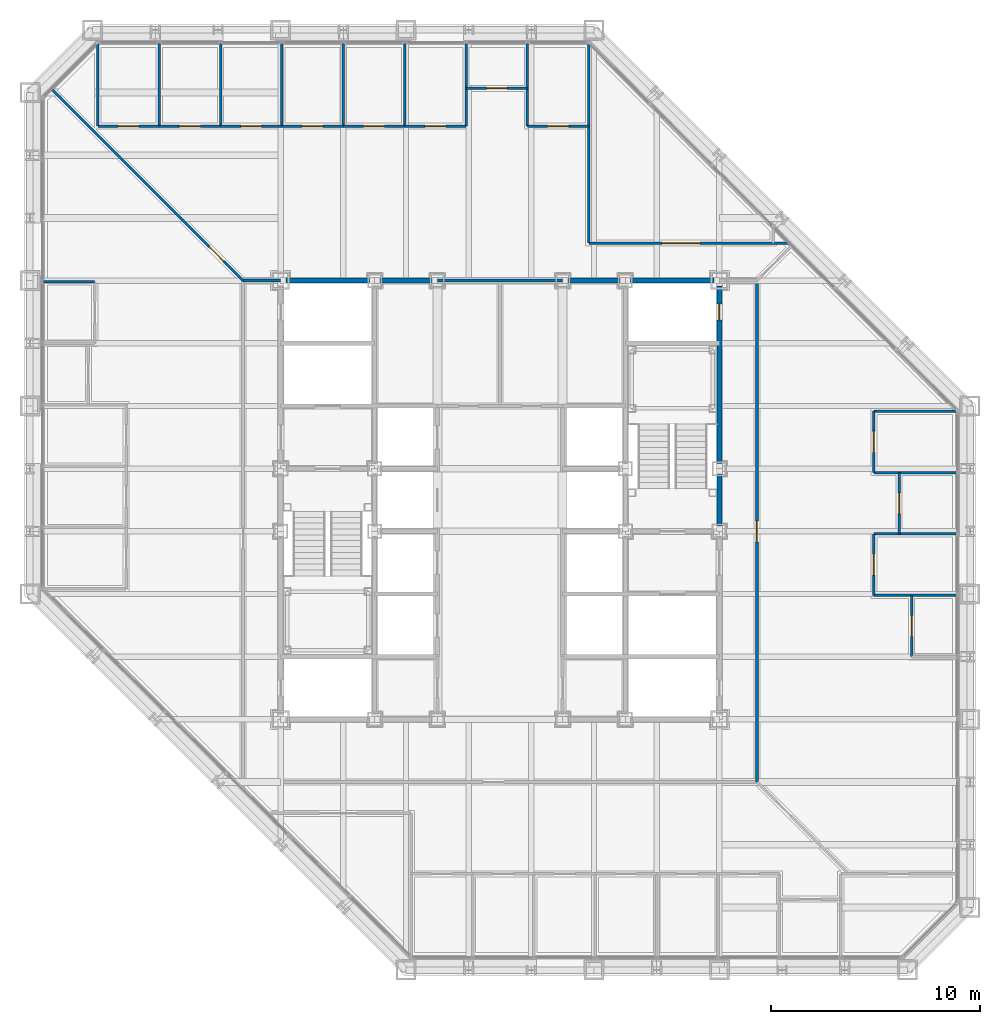
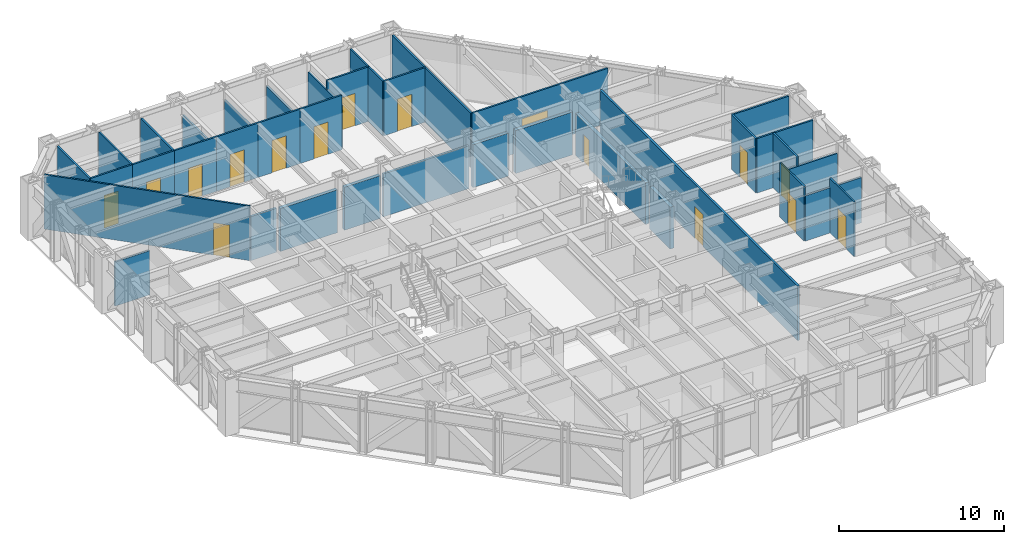
# One storey, part 12 of 17: 37 walls, 16 doors, 16 openings.
"""IFC4 building model written with IfcOpenShell, lengths in metres."""

from ifc_helpers import new_model, si_unit, direction, frame, frame_2d, origin, place, context, subcontext, project, spatial, rectangle, extrude, material, layer, layer_set, type_object, element, fill, save


model = new_model("IFC4")

# Units and contexts
model_context = context("Model", 3, precision=1e-05, world=origin(), true_north=direction((0.0, 1.0)))
body_context = subcontext(model_context, "Body", "Model", "MODEL_VIEW")
ifc_project = project(units=[si_unit("LENGTHUNIT", "METRE"), si_unit("AREAUNIT", "SQUARE_METRE"), si_unit("VOLUMEUNIT", "CUBIC_METRE"), si_unit("PLANEANGLEUNIT", "RADIAN"), si_unit("MASSUNIT", "GRAM", prefix="KILO")], contexts=[model_context])

# Site, building, storey
site_placement = place(None, origin())
site = spatial("IfcSite", under=ifc_project, at=site_placement, CompositionType="ELEMENT")
building_placement = place(site_placement, origin())
building = spatial("IfcBuilding", under=site, at=building_placement, Name="Chuquiago Exchange Tower", CompositionType="ELEMENT")
storey_placement = place(building_placement, frame((0.0, 0.0, 136.199951171875)))
storey = spatial("IfcBuildingStorey", under=building, at=storey_placement, Name="L29", CompositionType="ELEMENT", Elevation=136.199951171875)

# Walls
ifc_material_1 = material(Name="Concrete masonry, fully grouted", Category="masonry")
ifc_layer_1 = layer(ifc_material_1, 0.25)
ifc_layer_set_1 = layer_set([ifc_layer_1], Name="W1 core wall 250")
wall_type_1 = type_object("IfcWallType", Name="W1 core wall 250", PredefinedType="SOLIDWALL", material=ifc_layer_set_1)
wall_1_placement = place(storey_placement, frame((12.25, 33.0, 0.0), z_axis=(0.0, 0.0, 1.0), x_axis=(1.0, 0.0, 0.0)))
element("IfcWall", 1, at=wall_1_placement, inside=storey, type_object=wall_type_1, Name="CW-L29-11-0", PredefinedType="SOLIDWALL", context=body_context, shape_type="SweptSolid", body=[
    extrude(rectangle(XDim=4.0, YDim=0.25, at=frame_2d((2.0, 0.0))), origin(), (0.0, 0.0, 1.0), 3.181640625),
])
for number, where, z_axis, x_axis, name in (
    (2, (16.75, 33.0, 0.0), (0.0, 0.0, 1.0), (1.0, 0.0, 0.0), "CW-L29-11-1"),
    (3, (25.75, 33.0, 0.0), (0.0, 0.0, 1.0), (1.0, 0.0, 0.0), "CW-L29-12-0"),
):
    element("IfcWall", number, at=place(storey_placement, frame(where, z_axis=z_axis, x_axis=x_axis)), inside=storey, type_object=wall_type_1, Name=name, PredefinedType="SOLIDWALL", context=body_context, shape_type="SweptSolid", body=[
        extrude(rectangle(XDim=2.5, YDim=0.25, at=frame_2d((1.25, 0.0))), origin(), (0.0, 0.0, 1.0), 3.181640625),
    ])
wall_2_placement = place(storey_placement, frame((28.75, 33.0, 0.0), z_axis=(0.0, 0.0, 1.0), x_axis=(1.0, 0.0, 0.0)))
element("IfcWall", 4, at=wall_2_placement, inside=storey, type_object=wall_type_1, Name="CW-L29-12-1", PredefinedType="SOLIDWALL", context=body_context, shape_type="SweptSolid", body=[
    extrude(rectangle(XDim=4.0, YDim=0.25, at=frame_2d((2.0, 0.0))), origin(), (0.0, 0.0, 1.0), 3.181640625),
])
wall_3_placement = place(storey_placement, frame((33.0, 21.25, 0.0), z_axis=(0.0, 0.0, 1.0), x_axis=(0.0, 1.0, 0.0)))
element("IfcWall", 5, at=wall_3_placement, inside=storey, type_object=wall_type_1, Name="CW-L29-25-1", PredefinedType="SOLIDWALL", context=body_context, shape_type="SweptSolid", body=[
    extrude(rectangle(XDim=2.5, YDim=0.25, at=frame_2d((1.25, 0.0))), origin(), (0.0, 0.0, 1.0), 3.113037109375),
])

# Wall, opening, door
wall_4_placement = place(storey_placement, frame((33.0, 24.25, 0.0), z_axis=(0.0, 0.0, 1.0), x_axis=(0.0, 1.0, 0.0)))
wall_4 = element("IfcWall", 6, at=wall_4_placement, inside=storey, type_object=wall_type_1, Name="CW-L29-25-2", PredefinedType="SOLIDWALL", context=body_context, shape_type="SweptSolid", body=[
    extrude(rectangle(XDim=8.5, YDim=0.25, at=frame_2d((4.25, 0.0))), origin(), (0.0, 0.0, 1.0), 3.113037109375),
])
opening_1_placement = place(wall_4_placement, frame((6.875, 0.0, 0.0)))
opening_1 = element("IfcOpeningElement", 7, at=opening_1_placement, cuts=wall_4, Name="Opening L29-010", PredefinedType="OPENING", context=body_context, shape_type="SweptSolid", body=[
    extrude(rectangle(XDim=0.75, YDim=2.10009765625, at=frame_2d((0.375, 1.050048828125))), frame((0.0, 0.135009765625, 0.0), z_axis=(0.0, -1.0, 0.0), x_axis=(1.0, 0.0, 0.0)), (0.0, 0.0, 1.0), 0.27001953125),
])
ifc_material_2 = material(Name="Steel door, painted", Category="steel")
door_type_1 = type_object("IfcDoorType", Name="D6 riser access door 750x2100", OperationType="SINGLE_SWING_LEFT", PredefinedType="DOOR", material=ifc_material_2)
door_1_placement = place(opening_1_placement, origin())
door_1 = element("IfcDoor", 8, at=door_1_placement, inside=storey, type_object=door_type_1, Name="Riser RE2 door", OperationType="SINGLE_SWING_RIGHT", OverallHeight=2.10009765625, OverallWidth=0.75, PredefinedType="DOOR", context=body_context, shape_type="SweptSolid", body=[
    extrude(rectangle(XDim=0.75, YDim=2.10009765625, at=frame_2d((0.375, 1.050048828125))), frame((0.0, 0.02490234375, 0.0), z_axis=(0.0, -1.0, 0.0), x_axis=(1.0, 0.0, 0.0)), (0.0, 0.0, 1.0), 0.050048828125),
])
fill(opening_1, door_1)

# Wall
ifc_material_3 = material(Name="Gypsum board on steel studs, acoustic insulation", Category="steel")
ifc_layer_2 = layer(ifc_material_3, 0.14990234375)
ifc_layer_set_2 = layer_set([ifc_layer_2], Name="W11 corridor wall 150")
wall_type_2 = type_object("IfcWallType", Name="W11 corridor wall 150", PredefinedType="PARTITIONING", material=ifc_layer_set_2)
wall_5_placement = place(storey_placement, frame((10.199951171875, 33.0, 0.0), z_axis=(0.0, 0.0, 1.0), x_axis=(1.0, 0.0, 0.0)))
element("IfcWall", 9, at=wall_5_placement, inside=storey, type_object=wall_type_2, Name="PW-L29-GWN0", PredefinedType="PARTITIONING", context=body_context, shape_type="SweptSolid", body=[
    extrude(rectangle(XDim=1.800048828125, YDim=0.14990234375, at=frame_2d((0.89990234375, 0.0))), origin(), (0.0, 0.0, 1.0), 3.2705078125),
])

# Wall, opening, door
wall_6_placement = place(storey_placement, frame((34.800048828125, 9.0, 0.0), z_axis=(0.0, 0.0, 1.0), x_axis=(0.0, 1.0, 0.0)))
wall_6 = element("IfcWall", 10, at=wall_6_placement, inside=storey, type_object=wall_type_2, Name="PW-L29-GE0", PredefinedType="PARTITIONING", context=body_context, shape_type="SweptSolid", body=[
    extrude(rectangle(XDim=24.0, YDim=0.14990234375, at=frame_2d((12.0, 0.0))), origin(), (0.0, 0.0, 1.0), 4.0400390625),
])
opening_2_placement = place(wall_6_placement, frame((11.5, 0.0, 0.0)))
opening_2 = element("IfcOpeningElement", 11, at=opening_2_placement, cuts=wall_6, Name="Opening L29-048", PredefinedType="OPENING", context=body_context, shape_type="SweptSolid", body=[
    extrude(rectangle(XDim=1.0, YDim=2.39990234375, at=frame_2d((0.5, 1.199951171875))), frame((0.0, 0.0849609375, 0.0), z_axis=(0.0, -1.0, 0.0), x_axis=(1.0, 0.0, 0.0)), (0.0, 0.0, 1.0), 0.169921875),
])
ifc_material_4 = material(Name="Timber door, laminate faced", Category="wood")
door_type_2 = type_object("IfcDoorType", Name="D9 room door 1000x2400", OperationType="SINGLE_SWING_LEFT", PredefinedType="DOOR", material=ifc_material_4)
door_2_placement = place(opening_2_placement, frame((1.0, 0.0, 0.0), z_axis=(0.0, 0.0, 1.0), x_axis=(-1.0, 0.0, 0.0)))
door_2 = element("IfcDoor", 12, at=door_2_placement, inside=storey, type_object=door_type_2, Name="Team area door", OperationType="SINGLE_SWING_RIGHT", OverallHeight=2.39990234375, OverallWidth=1.0, PredefinedType="DOOR", context=body_context, shape_type="SweptSolid", body=[
    extrude(rectangle(XDim=1.0, YDim=2.39990234375, at=frame_2d((0.5, 1.199951171875))), frame((0.0, 0.02490234375, 0.0), z_axis=(0.0, -1.0, 0.0), x_axis=(1.0, 0.0, 0.0)), (0.0, 0.0, 1.0), 0.050048828125),
])
fill(opening_2, door_2)

# Walls
ifc_material_5 = material(Name="Gypsum board on steel studs", Category="steel")
ifc_layer_3 = layer(ifc_material_5, 0.14990234375)
ifc_layer_set_3 = layer_set([ifc_layer_3], Name="W3 core partition 150")
wall_type_3 = type_object("IfcWallType", Name="W3 core partition 150", PredefinedType="PARTITIONING", material=ifc_layer_set_3)
wall_7_placement = place(storey_placement, frame((19.5, 33.0, 0.0), z_axis=(0.0, 0.0, 1.0), x_axis=(1.0, 0.0, 0.0)))
element("IfcWall", 13, at=wall_7_placement, inside=storey, type_object=wall_type_3, Name="CW-L29-TB", PredefinedType="PARTITIONING", context=body_context, shape_type="SweptSolid", body=[
    extrude(rectangle(XDim=6.0, YDim=0.14990234375, at=frame_2d((3.0, 0.0))), origin(), (0.0, 0.0, 1.0), 3.181640625),
])
ifc_material_6 = material(Name="Gypsum board on steel studs", Category="steel")
ifc_layer_4 = layer(ifc_material_6, 0.1201171875)
ifc_layer_set_4 = layer_set([ifc_layer_4], Name="W4 partition 120")
wall_type_4 = type_object("IfcWallType", Name="W4 partition 120", PredefinedType="PARTITIONING", material=ifc_layer_set_4)
for number, where, z_axis, x_axis, name in (
    (14, (44.347412109375, 17.93798828125, 0.0), (0.0, 0.0, 1.0), (-1.0, 0.0, 0.0), "PW-L29-E01794"),
    (15, (44.347412109375, 20.875732421875, 0.0), (0.0, 0.0, 1.0), (-1.0, 0.0, 0.0), "PW-L29-E02088"),
):
    element("IfcWall", number, at=place(storey_placement, frame(where, z_axis=z_axis, x_axis=x_axis)), inside=storey, type_object=wall_type_4, Name=name, PredefinedType="PARTITIONING", context=body_context, shape_type="SweptSolid", body=[
        extrude(rectangle(XDim=3.947509765625, YDim=0.1201171875, at=frame_2d((1.9736328125, 0.0))), origin(), (0.0, 0.0, 1.0), 3.35693359375),
    ])
wall_8_placement = place(storey_placement, frame((44.347412109375, 23.813720703125, 0.0), z_axis=(0.0, 0.0, 1.0), x_axis=(-1.0, 0.0, 0.0)))
element("IfcWall", 16, at=wall_8_placement, inside=storey, type_object=wall_type_4, Name="PW-L29-E02381", PredefinedType="PARTITIONING", context=body_context, shape_type="SweptSolid", body=[
    extrude(rectangle(XDim=3.947509765625, YDim=0.1201171875, at=frame_2d((1.9736328125, 0.0))), origin(), (0.0, 0.0, 1.0), 4.0400390625),
])
wall_9_placement = place(storey_placement, frame((44.333984375, 26.75146484375, 0.0), z_axis=(0.0, 0.0, 1.0), x_axis=(-1.0, 0.0, 0.0)))
element("IfcWall", 17, at=wall_9_placement, inside=storey, type_object=wall_type_4, Name="PW-L29-E02675", PredefinedType="PARTITIONING", context=body_context, shape_type="SweptSolid", body=[
    extrude(rectangle(XDim=3.93408203125, YDim=0.1201171875, at=frame_2d((1.967041015625, 0.0))), origin(), (0.0, 0.0, 1.0), 4.0400390625),
])

# Wall, opening, door
wall_10_placement = place(storey_placement, frame((42.199951171875, 15.0, 0.0), z_axis=(0.0, 0.0, 1.0), x_axis=(0.0, 1.0, 0.0)))
wall_10 = element("IfcWall", 18, at=wall_10_placement, inside=storey, type_object=wall_type_4, Name="PW-L29-EF01500", PredefinedType="PARTITIONING", context=body_context, shape_type="SweptSolid", body=[
    extrude(rectangle(XDim=2.93798828125, YDim=0.1201171875, at=frame_2d((1.468994140625, 0.0))), origin(), (0.0, 0.0, 1.0), 4.0400390625),
])
opening_3_placement = place(wall_10_placement, frame((0.968994140625, 0.0, 0.0)))
opening_3 = element("IfcOpeningElement", 19, at=opening_3_placement, cuts=wall_10, Name="Opening L29-028", PredefinedType="OPENING", context=body_context, shape_type="SweptSolid", body=[
    extrude(rectangle(XDim=1.0, YDim=2.39990234375, at=frame_2d((0.5, 1.199951171875))), frame((0.0, 0.070068359375, 0.0), z_axis=(0.0, -1.0, 0.0), x_axis=(1.0, 0.0, 0.0)), (0.0, 0.0, 1.0), 0.14013671875),
])
ifc_material_7 = material(Name="Timber frame door, full height glazed panel", Category="wood")
door_type_3 = type_object("IfcDoorType", Name="D14 glazed meeting room door 1000x2400", OperationType="SINGLE_SWING_LEFT", PredefinedType="DOOR", material=ifc_material_7)
door_3_placement = place(opening_3_placement, frame((1.0, 0.0, 0.0), z_axis=(0.0, 0.0, 1.0), x_axis=(-1.0, 0.0, 0.0)))
door_3 = element("IfcDoor", 20, at=door_3_placement, inside=storey, type_object=door_type_3, Name="Focus room door", OperationType="SINGLE_SWING_RIGHT", OverallHeight=2.39990234375, OverallWidth=1.0, PredefinedType="DOOR", context=body_context, shape_type="SweptSolid", body=[
    extrude(rectangle(XDim=1.0, YDim=2.39990234375, at=frame_2d((0.5, 1.199951171875))), frame((0.0, 0.02490234375, 0.0), z_axis=(0.0, -1.0, 0.0), x_axis=(1.0, 0.0, 0.0)), (0.0, 0.0, 1.0), 0.050048828125),
])
fill(opening_3, door_3)

wall_11_placement = place(storey_placement, frame((40.39990234375, 17.93798828125, 0.0), z_axis=(0.0, 0.0, 1.0), x_axis=(0.0, 1.0, 0.0)))
wall_11 = element("IfcWall", 21, at=wall_11_placement, inside=storey, type_object=wall_type_4, Name="PW-L29-EF01794", PredefinedType="PARTITIONING", context=body_context, shape_type="SweptSolid", body=[
    extrude(rectangle(XDim=2.937744140625, YDim=0.1201171875, at=frame_2d((1.46875, 0.0))), origin(), (0.0, 0.0, 1.0), 4.0400390625),
])
opening_4_placement = place(wall_11_placement, frame((0.968994140625, 0.0, 0.0)))
opening_4 = element("IfcOpeningElement", 22, at=opening_4_placement, cuts=wall_11, Name="Opening L29-029", PredefinedType="OPENING", context=body_context, shape_type="SweptSolid", body=[
    extrude(rectangle(XDim=1.0, YDim=2.39990234375, at=frame_2d((0.5, 1.199951171875))), frame((0.0, 0.070068359375, 0.0), z_axis=(0.0, -1.0, 0.0), x_axis=(1.0, 0.0, 0.0)), (0.0, 0.0, 1.0), 0.14013671875),
])
door_4_placement = place(opening_4_placement, frame((1.0, 0.0, 0.0), z_axis=(0.0, 0.0, 1.0), x_axis=(-1.0, 0.0, 0.0)))
door_4 = element("IfcDoor", 23, at=door_4_placement, inside=storey, type_object=door_type_2, Name="Office door", OperationType="SINGLE_SWING_LEFT", OverallHeight=2.39990234375, OverallWidth=1.0, PredefinedType="DOOR", context=body_context, shape_type="SweptSolid", body=[
    extrude(rectangle(XDim=1.0, YDim=2.39990234375, at=frame_2d((0.5, 1.199951171875))), frame((0.0, 0.02490234375, 0.0), z_axis=(0.0, -1.0, 0.0), x_axis=(1.0, 0.0, 0.0)), (0.0, 0.0, 1.0), 0.050048828125),
])
fill(opening_4, door_4)

wall_12_placement = place(storey_placement, frame((41.60009765625, 20.875732421875, 0.0), z_axis=(0.0, 0.0, 1.0), x_axis=(0.0, 1.0, 0.0)))
wall_12 = element("IfcWall", 24, at=wall_12_placement, inside=storey, type_object=wall_type_4, Name="PW-L29-EF02088", PredefinedType="PARTITIONING", context=body_context, shape_type="SweptSolid", body=[
    extrude(rectangle(XDim=2.93798828125, YDim=0.1201171875, at=frame_2d((1.468994140625, 0.0))), origin(), (0.0, 0.0, 1.0), 4.0400390625),
])
opening_5_placement = place(wall_12_placement, frame((0.968994140625, 0.0, 0.0)))
opening_5 = element("IfcOpeningElement", 25, at=opening_5_placement, cuts=wall_12, Name="Opening L29-030", PredefinedType="OPENING", context=body_context, shape_type="SweptSolid", body=[
    extrude(rectangle(XDim=1.0, YDim=2.39990234375, at=frame_2d((0.5, 1.199951171875))), frame((0.0, 0.070068359375, 0.0), z_axis=(0.0, -1.0, 0.0), x_axis=(1.0, 0.0, 0.0)), (0.0, 0.0, 1.0), 0.14013671875),
])
door_5_placement = place(opening_5_placement, frame((1.0, 0.0, 0.0), z_axis=(0.0, 0.0, 1.0), x_axis=(-1.0, 0.0, 0.0)))
door_5 = element("IfcDoor", 26, at=door_5_placement, inside=storey, type_object=door_type_2, Name="Pantry door", OperationType="SINGLE_SWING_LEFT", OverallHeight=2.39990234375, OverallWidth=1.0, PredefinedType="DOOR", context=body_context, shape_type="SweptSolid", body=[
    extrude(rectangle(XDim=1.0, YDim=2.39990234375, at=frame_2d((0.5, 1.199951171875))), frame((0.0, 0.02490234375, 0.0), z_axis=(0.0, -1.0, 0.0), x_axis=(1.0, 0.0, 0.0)), (0.0, 0.0, 1.0), 0.050048828125),
])
fill(opening_5, door_5)

wall_13_placement = place(storey_placement, frame((40.39990234375, 23.813720703125, 0.0), z_axis=(0.0, 0.0, 1.0), x_axis=(0.0, 1.0, 0.0)))
wall_13 = element("IfcWall", 27, at=wall_13_placement, inside=storey, type_object=wall_type_4, Name="PW-L29-EF02381", PredefinedType="PARTITIONING", context=body_context, shape_type="SweptSolid", body=[
    extrude(rectangle(XDim=2.937744140625, YDim=0.1201171875, at=frame_2d((1.46875, 0.0))), origin(), (0.0, 0.0, 1.0), 4.0400390625),
])
opening_6_placement = place(wall_13_placement, frame((0.968994140625, 0.0, 0.0)))
opening_6 = element("IfcOpeningElement", 28, at=opening_6_placement, cuts=wall_13, Name="Opening L29-031", PredefinedType="OPENING", context=body_context, shape_type="SweptSolid", body=[
    extrude(rectangle(XDim=1.0, YDim=2.39990234375, at=frame_2d((0.5, 1.199951171875))), frame((0.0, 0.070068359375, 0.0), z_axis=(0.0, -1.0, 0.0), x_axis=(1.0, 0.0, 0.0)), (0.0, 0.0, 1.0), 0.14013671875),
])
door_6_placement = place(opening_6_placement, frame((1.0, 0.0, 0.0), z_axis=(0.0, 0.0, 1.0), x_axis=(-1.0, 0.0, 0.0)))
door_6 = element("IfcDoor", 29, at=door_6_placement, inside=storey, type_object=door_type_2, Name="Office door", OperationType="SINGLE_SWING_RIGHT", OverallHeight=2.39990234375, OverallWidth=1.0, PredefinedType="DOOR", context=body_context, shape_type="SweptSolid", body=[
    extrude(rectangle(XDim=1.0, YDim=2.39990234375, at=frame_2d((0.5, 1.199951171875))), frame((0.0, 0.02490234375, 0.0), z_axis=(0.0, -1.0, 0.0), x_axis=(1.0, 0.0, 0.0)), (0.0, 0.0, 1.0), 0.050048828125),
])
fill(opening_6, door_6)

# Walls
wall_14_placement = place(storey_placement, frame((3.24853515625, 44.333984375, 0.0), z_axis=(0.0, 0.0, 1.0), x_axis=(0.0, -1.0, 0.0)))
element("IfcWall", 30, at=wall_14_placement, inside=storey, type_object=wall_type_4, Name="PW-L29-N00325", PredefinedType="PARTITIONING", context=body_context, shape_type="SweptSolid", body=[
    extrude(rectangle(XDim=3.93408203125, YDim=0.1201171875, at=frame_2d((1.967041015625, 0.0))), origin(), (0.0, 0.0, 1.0), 4.0400390625),
])
for number, where, z_axis, x_axis, name in (
    (31, (6.186279296875, 44.347412109375, 0.0), (0.0, 0.0, 1.0), (0.0, -1.0, 0.0), "PW-L29-N00619"),
    (32, (9.124267578125, 44.347412109375, 0.0), (0.0, 0.0, 1.0), (0.0, -1.0, 0.0), "PW-L29-N00912"),
):
    element("IfcWall", number, at=place(storey_placement, frame(where, z_axis=z_axis, x_axis=x_axis)), inside=storey, type_object=wall_type_4, Name=name, PredefinedType="PARTITIONING", context=body_context, shape_type="SweptSolid", body=[
        extrude(rectangle(XDim=3.947509765625, YDim=0.1201171875, at=frame_2d((1.9736328125, 0.0))), origin(), (0.0, 0.0, 1.0), 4.0400390625),
    ])
wall_15_placement = place(storey_placement, frame((12.06201171875, 44.347412109375, 0.0), z_axis=(0.0, 0.0, 1.0), x_axis=(0.0, -1.0, 0.0)))
element("IfcWall", 33, at=wall_15_placement, inside=storey, type_object=wall_type_4, Name="PW-L29-N01206", PredefinedType="PARTITIONING", context=body_context, shape_type="SweptSolid", body=[
    extrude(rectangle(XDim=3.947509765625, YDim=0.1201171875, at=frame_2d((1.9736328125, 0.0))), origin(), (0.0, 0.0, 1.0), 3.2705078125),
])
for number, where, z_axis, x_axis, name in (
    (34, (15.0, 44.347412109375, 0.0), (0.0, 0.0, 1.0), (0.0, -1.0, 0.0), "PW-L29-N01500"),
    (35, (17.93798828125, 44.347412109375, 0.0), (0.0, 0.0, 1.0), (0.0, -1.0, 0.0), "PW-L29-N01794"),
    (36, (20.875732421875, 44.347412109375, 0.0), (0.0, 0.0, 1.0), (0.0, -1.0, 0.0), "PW-L29-N02088"),
):
    element("IfcWall", number, at=place(storey_placement, frame(where, z_axis=z_axis, x_axis=x_axis)), inside=storey, type_object=wall_type_4, Name=name, PredefinedType="PARTITIONING", context=body_context, shape_type="SweptSolid", body=[
        extrude(rectangle(XDim=3.947509765625, YDim=0.1201171875, at=frame_2d((1.9736328125, 0.0))), origin(), (0.0, 0.0, 1.0), 3.35693359375),
    ])
wall_16_placement = place(storey_placement, frame((23.813720703125, 44.347412109375, 0.0), z_axis=(0.0, 0.0, 1.0), x_axis=(0.0, -1.0, 0.0)))
element("IfcWall", 37, at=wall_16_placement, inside=storey, type_object=wall_type_4, Name="PW-L29-N02381", PredefinedType="PARTITIONING", context=body_context, shape_type="SweptSolid", body=[
    extrude(rectangle(XDim=3.947509765625, YDim=0.1201171875, at=frame_2d((1.9736328125, 0.0))), origin(), (0.0, 0.0, 1.0), 4.0400390625),
])
wall_17_placement = place(storey_placement, frame((26.75146484375, 44.333984375, 0.0), z_axis=(0.0, 0.0, 1.0), x_axis=(0.0, -1.0, 0.0)))
element("IfcWall", 38, at=wall_17_placement, inside=storey, type_object=wall_type_4, Name="PW-L29-N02675", PredefinedType="PARTITIONING", context=body_context, shape_type="SweptSolid", body=[
    extrude(rectangle(XDim=9.533935546875, YDim=0.1201171875, at=frame_2d((4.76708984375, 0.0))), origin(), (0.0, 0.0, 1.0), 4.0400390625),
])

# Wall, opening, door
wall_18_placement = place(storey_placement, frame((3.24853515625, 40.39990234375, 0.0), z_axis=(0.0, 0.0, 1.0), x_axis=(1.0, 0.0, 0.0)))
wall_18 = element("IfcWall", 39, at=wall_18_placement, inside=storey, type_object=wall_type_4, Name="PW-L29-NF00325", PredefinedType="PARTITIONING", context=body_context, shape_type="SweptSolid", body=[
    extrude(rectangle(XDim=2.937744140625, YDim=0.1201171875, at=frame_2d((1.46875, 0.0))), origin(), (0.0, 0.0, 1.0), 4.0400390625),
])
opening_7_placement = place(wall_18_placement, frame((0.968994140625, 0.0, 0.0)))
opening_7 = element("IfcOpeningElement", 40, at=opening_7_placement, cuts=wall_18, Name="Opening L29-032", PredefinedType="OPENING", context=body_context, shape_type="SweptSolid", body=[
    extrude(rectangle(XDim=1.0, YDim=2.39990234375, at=frame_2d((0.5, 1.199951171875))), frame((0.0, 0.070068359375, 0.0), z_axis=(0.0, -1.0, 0.0), x_axis=(1.0, 0.0, 0.0)), (0.0, 0.0, 1.0), 0.14013671875),
])
door_7_placement = place(opening_7_placement, origin())
door_7 = element("IfcDoor", 41, at=door_7_placement, inside=storey, type_object=door_type_2, Name="Compliance office door", OperationType="SINGLE_SWING_LEFT", OverallHeight=2.39990234375, OverallWidth=1.0, PredefinedType="DOOR", context=body_context, shape_type="SweptSolid", body=[
    extrude(rectangle(XDim=1.0, YDim=2.39990234375, at=frame_2d((0.5, 1.199951171875))), frame((0.0, 0.02490234375, 0.0), z_axis=(0.0, -1.0, 0.0), x_axis=(1.0, 0.0, 0.0)), (0.0, 0.0, 1.0), 0.050048828125),
])
fill(opening_7, door_7)

wall_19_placement = place(storey_placement, frame((6.186279296875, 40.39990234375, 0.0), z_axis=(0.0, 0.0, 1.0), x_axis=(1.0, 0.0, 0.0)))
wall_19 = element("IfcWall", 42, at=wall_19_placement, inside=storey, type_object=wall_type_4, Name="PW-L29-NF00619", PredefinedType="PARTITIONING", context=body_context, shape_type="SweptSolid", body=[
    extrude(rectangle(XDim=2.93798828125, YDim=0.1201171875, at=frame_2d((1.468994140625, 0.0))), origin(), (0.0, 0.0, 1.0), 4.0400390625),
])
opening_8_placement = place(wall_19_placement, frame((0.968994140625, 0.0, 0.0)))
opening_8 = element("IfcOpeningElement", 43, at=opening_8_placement, cuts=wall_19, Name="Opening L29-033", PredefinedType="OPENING", context=body_context, shape_type="SweptSolid", body=[
    extrude(rectangle(XDim=1.0, YDim=2.39990234375, at=frame_2d((0.5, 1.199951171875))), frame((0.0, 0.070068359375, 0.0), z_axis=(0.0, -1.0, 0.0), x_axis=(1.0, 0.0, 0.0)), (0.0, 0.0, 1.0), 0.14013671875),
])
door_8_placement = place(opening_8_placement, origin())
door_8 = element("IfcDoor", 44, at=door_8_placement, inside=storey, type_object=door_type_2, Name="Compliance office door", OperationType="SINGLE_SWING_LEFT", OverallHeight=2.39990234375, OverallWidth=1.0, PredefinedType="DOOR", context=body_context, shape_type="SweptSolid", body=[
    extrude(rectangle(XDim=1.0, YDim=2.39990234375, at=frame_2d((0.5, 1.199951171875))), frame((0.0, 0.02490234375, 0.0), z_axis=(0.0, -1.0, 0.0), x_axis=(1.0, 0.0, 0.0)), (0.0, 0.0, 1.0), 0.050048828125),
])
fill(opening_8, door_8)

wall_20_placement = place(storey_placement, frame((9.124267578125, 40.39990234375, 0.0), z_axis=(0.0, 0.0, 1.0), x_axis=(1.0, 0.0, 0.0)))
wall_20 = element("IfcWall", 45, at=wall_20_placement, inside=storey, type_object=wall_type_4, Name="PW-L29-NF00912", PredefinedType="PARTITIONING", context=body_context, shape_type="SweptSolid", body=[
    extrude(rectangle(XDim=2.937744140625, YDim=0.1201171875, at=frame_2d((1.46875, 0.0))), origin(), (0.0, 0.0, 1.0), 4.0400390625),
])
opening_9_placement = place(wall_20_placement, frame((0.968994140625, 0.0, 0.0)))
opening_9 = element("IfcOpeningElement", 46, at=opening_9_placement, cuts=wall_20, Name="Opening L29-034", PredefinedType="OPENING", context=body_context, shape_type="SweptSolid", body=[
    extrude(rectangle(XDim=1.0, YDim=2.39990234375, at=frame_2d((0.5, 1.199951171875))), frame((0.0, 0.070068359375, 0.0), z_axis=(0.0, -1.0, 0.0), x_axis=(1.0, 0.0, 0.0)), (0.0, 0.0, 1.0), 0.14013671875),
])
door_9_placement = place(opening_9_placement, origin())
door_9 = element("IfcDoor", 47, at=door_9_placement, inside=storey, type_object=door_type_2, Name="Compliance office door", OperationType="SINGLE_SWING_RIGHT", OverallHeight=2.39990234375, OverallWidth=1.0, PredefinedType="DOOR", context=body_context, shape_type="SweptSolid", body=[
    extrude(rectangle(XDim=1.0, YDim=2.39990234375, at=frame_2d((0.5, 1.199951171875))), frame((0.0, 0.02490234375, 0.0), z_axis=(0.0, -1.0, 0.0), x_axis=(1.0, 0.0, 0.0)), (0.0, 0.0, 1.0), 0.050048828125),
])
fill(opening_9, door_9)

wall_21_placement = place(storey_placement, frame((12.06201171875, 40.39990234375, 0.0), z_axis=(0.0, 0.0, 1.0), x_axis=(1.0, 0.0, 0.0)))
wall_21 = element("IfcWall", 48, at=wall_21_placement, inside=storey, type_object=wall_type_4, Name="PW-L29-NF01206", PredefinedType="PARTITIONING", context=body_context, shape_type="SweptSolid", body=[
    extrude(rectangle(XDim=2.93798828125, YDim=0.1201171875, at=frame_2d((1.468994140625, 0.0))), origin(), (0.0, 0.0, 1.0), 4.0400390625),
])
opening_10_placement = place(wall_21_placement, frame((0.968994140625, 0.0, 0.0)))
opening_10 = element("IfcOpeningElement", 49, at=opening_10_placement, cuts=wall_21, Name="Opening L29-035", PredefinedType="OPENING", context=body_context, shape_type="SweptSolid", body=[
    extrude(rectangle(XDim=1.0, YDim=2.39990234375, at=frame_2d((0.5, 1.199951171875))), frame((0.0, 0.070068359375, 0.0), z_axis=(0.0, -1.0, 0.0), x_axis=(1.0, 0.0, 0.0)), (0.0, 0.0, 1.0), 0.14013671875),
])
door_10_placement = place(opening_10_placement, origin())
door_10 = element("IfcDoor", 50, at=door_10_placement, inside=storey, type_object=door_type_2, Name="Office door", OperationType="SINGLE_SWING_RIGHT", OverallHeight=2.39990234375, OverallWidth=1.0, PredefinedType="DOOR", context=body_context, shape_type="SweptSolid", body=[
    extrude(rectangle(XDim=1.0, YDim=2.39990234375, at=frame_2d((0.5, 1.199951171875))), frame((0.0, 0.02490234375, 0.0), z_axis=(0.0, -1.0, 0.0), x_axis=(1.0, 0.0, 0.0)), (0.0, 0.0, 1.0), 0.050048828125),
])
fill(opening_10, door_10)

wall_22_placement = place(storey_placement, frame((15.0, 40.39990234375, 0.0), z_axis=(0.0, 0.0, 1.0), x_axis=(1.0, 0.0, 0.0)))
wall_22 = element("IfcWall", 51, at=wall_22_placement, inside=storey, type_object=wall_type_4, Name="PW-L29-NF01500", PredefinedType="PARTITIONING", context=body_context, shape_type="SweptSolid", body=[
    extrude(rectangle(XDim=2.93798828125, YDim=0.1201171875, at=frame_2d((1.468994140625, 0.0))), origin(), (0.0, 0.0, 1.0), 4.0400390625),
])
opening_11_placement = place(wall_22_placement, frame((0.968994140625, 0.0, 0.0)))
opening_11 = element("IfcOpeningElement", 52, at=opening_11_placement, cuts=wall_22, Name="Opening L29-036", PredefinedType="OPENING", context=body_context, shape_type="SweptSolid", body=[
    extrude(rectangle(XDim=1.0, YDim=2.39990234375, at=frame_2d((0.5, 1.199951171875))), frame((0.0, 0.070068359375, 0.0), z_axis=(0.0, -1.0, 0.0), x_axis=(1.0, 0.0, 0.0)), (0.0, 0.0, 1.0), 0.14013671875),
])
door_11_placement = place(opening_11_placement, origin())
door_11 = element("IfcDoor", 53, at=door_11_placement, inside=storey, type_object=door_type_2, Name="Office door", OperationType="SINGLE_SWING_LEFT", OverallHeight=2.39990234375, OverallWidth=1.0, PredefinedType="DOOR", context=body_context, shape_type="SweptSolid", body=[
    extrude(rectangle(XDim=1.0, YDim=2.39990234375, at=frame_2d((0.5, 1.199951171875))), frame((0.0, 0.02490234375, 0.0), z_axis=(0.0, -1.0, 0.0), x_axis=(1.0, 0.0, 0.0)), (0.0, 0.0, 1.0), 0.050048828125),
])
fill(opening_11, door_11)

wall_23_placement = place(storey_placement, frame((17.93798828125, 40.39990234375, 0.0), z_axis=(0.0, 0.0, 1.0), x_axis=(1.0, 0.0, 0.0)))
wall_23 = element("IfcWall", 54, at=wall_23_placement, inside=storey, type_object=wall_type_4, Name="PW-L29-NF01794", PredefinedType="PARTITIONING", context=body_context, shape_type="SweptSolid", body=[
    extrude(rectangle(XDim=2.937744140625, YDim=0.1201171875, at=frame_2d((1.46875, 0.0))), origin(), (0.0, 0.0, 1.0), 4.0400390625),
])
opening_12_placement = place(wall_23_placement, frame((0.968994140625, 0.0, 0.0)))
opening_12 = element("IfcOpeningElement", 55, at=opening_12_placement, cuts=wall_23, Name="Opening L29-037", PredefinedType="OPENING", context=body_context, shape_type="SweptSolid", body=[
    extrude(rectangle(XDim=1.0, YDim=2.39990234375, at=frame_2d((0.5, 1.199951171875))), frame((0.0, 0.070068359375, 0.0), z_axis=(0.0, -1.0, 0.0), x_axis=(1.0, 0.0, 0.0)), (0.0, 0.0, 1.0), 0.14013671875),
])
door_12_placement = place(opening_12_placement, origin())
door_12 = element("IfcDoor", 56, at=door_12_placement, inside=storey, type_object=door_type_3, Name="Meeting room door", OperationType="SINGLE_SWING_RIGHT", OverallHeight=2.39990234375, OverallWidth=1.0, PredefinedType="DOOR", context=body_context, shape_type="SweptSolid", body=[
    extrude(rectangle(XDim=1.0, YDim=2.39990234375, at=frame_2d((0.5, 1.199951171875))), frame((0.0, 0.02490234375, 0.0), z_axis=(0.0, -1.0, 0.0), x_axis=(1.0, 0.0, 0.0)), (0.0, 0.0, 1.0), 0.050048828125),
])
fill(opening_12, door_12)

wall_24_placement = place(storey_placement, frame((20.875732421875, 42.199951171875, 0.0), z_axis=(0.0, 0.0, 1.0), x_axis=(1.0, 0.0, 0.0)))
wall_24 = element("IfcWall", 57, at=wall_24_placement, inside=storey, type_object=wall_type_4, Name="PW-L29-NF02088", PredefinedType="PARTITIONING", context=body_context, shape_type="SweptSolid", body=[
    extrude(rectangle(XDim=2.93798828125, YDim=0.1201171875, at=frame_2d((1.468994140625, 0.0))), origin(), (0.0, 0.0, 1.0), 4.0400390625),
])
opening_13_placement = place(wall_24_placement, frame((0.968994140625, 0.0, 0.0)))
opening_13 = element("IfcOpeningElement", 58, at=opening_13_placement, cuts=wall_24, Name="Opening L29-038", PredefinedType="OPENING", context=body_context, shape_type="SweptSolid", body=[
    extrude(rectangle(XDim=1.0, YDim=2.39990234375, at=frame_2d((0.5, 1.199951171875))), frame((0.0, 0.070068359375, 0.0), z_axis=(0.0, -1.0, 0.0), x_axis=(1.0, 0.0, 0.0)), (0.0, 0.0, 1.0), 0.14013671875),
])
door_13_placement = place(opening_13_placement, origin())
door_13 = element("IfcDoor", 59, at=door_13_placement, inside=storey, type_object=door_type_3, Name="Focus room door", OperationType="SINGLE_SWING_RIGHT", OverallHeight=2.39990234375, OverallWidth=1.0, PredefinedType="DOOR", context=body_context, shape_type="SweptSolid", body=[
    extrude(rectangle(XDim=1.0, YDim=2.39990234375, at=frame_2d((0.5, 1.199951171875))), frame((0.0, 0.02490234375, 0.0), z_axis=(0.0, -1.0, 0.0), x_axis=(1.0, 0.0, 0.0)), (0.0, 0.0, 1.0), 0.050048828125),
])
fill(opening_13, door_13)

wall_25_placement = place(storey_placement, frame((23.813720703125, 40.39990234375, 0.0), z_axis=(0.0, 0.0, 1.0), x_axis=(1.0, 0.0, 0.0)))
wall_25 = element("IfcWall", 60, at=wall_25_placement, inside=storey, type_object=wall_type_4, Name="PW-L29-NF02381", PredefinedType="PARTITIONING", context=body_context, shape_type="SweptSolid", body=[
    extrude(rectangle(XDim=2.937744140625, YDim=0.1201171875, at=frame_2d((1.46875, 0.0))), origin(), (0.0, 0.0, 1.0), 4.0400390625),
])
opening_14_placement = place(wall_25_placement, frame((0.968994140625, 0.0, 0.0)))
opening_14 = element("IfcOpeningElement", 61, at=opening_14_placement, cuts=wall_25, Name="Opening L29-039", PredefinedType="OPENING", context=body_context, shape_type="SweptSolid", body=[
    extrude(rectangle(XDim=1.0, YDim=2.39990234375, at=frame_2d((0.5, 1.199951171875))), frame((0.0, 0.070068359375, 0.0), z_axis=(0.0, -1.0, 0.0), x_axis=(1.0, 0.0, 0.0)), (0.0, 0.0, 1.0), 0.14013671875),
])
door_14_placement = place(opening_14_placement, origin())
door_14 = element("IfcDoor", 62, at=door_14_placement, inside=storey, type_object=door_type_3, Name="Meeting room door", OperationType="SINGLE_SWING_LEFT", OverallHeight=2.39990234375, OverallWidth=1.0, PredefinedType="DOOR", context=body_context, shape_type="SweptSolid", body=[
    extrude(rectangle(XDim=1.0, YDim=2.39990234375, at=frame_2d((0.5, 1.199951171875))), frame((0.0, 0.02490234375, 0.0), z_axis=(0.0, -1.0, 0.0), x_axis=(1.0, 0.0, 0.0)), (0.0, 0.0, 1.0), 0.050048828125),
])
fill(opening_14, door_14)

wall_26_placement = place(storey_placement, frame((26.75146484375, 34.800048828125, 0.0), z_axis=(0.0, 0.0, 1.0), x_axis=(1.0, 0.0, 0.0)))
wall_26 = element("IfcWall", 63, at=wall_26_placement, inside=storey, type_object=wall_type_4, Name="PW-L29-NF02675", PredefinedType="PARTITIONING", context=body_context, shape_type="SweptSolid", body=[
    extrude(rectangle(XDim=9.56298828125, YDim=0.1201171875, at=frame_2d((4.781494140625, 0.0))), origin(), (0.0, 0.0, 1.0), 4.0400390625),
])
opening_15_placement = place(wall_26_placement, frame((3.51220703125, 0.0, 0.0)))
opening_15 = element("IfcOpeningElement", 64, at=opening_15_placement, cuts=wall_26, Name="Opening L29-040", PredefinedType="OPENING", context=body_context, shape_type="SweptSolid", body=[
    extrude(rectangle(XDim=1.800048828125, YDim=2.39990234375, at=frame_2d((0.89990234375, 1.199951171875))), frame((0.0, 0.070068359375, 0.0), z_axis=(0.0, -1.0, 0.0), x_axis=(1.0, 0.0, 0.0)), (0.0, 0.0, 1.0), 0.14013671875),
])
ifc_material_8 = material(Name="Timber door pair, laminate faced", Category="wood")
door_type_4 = type_object("IfcDoorType", Name="D15 double room door 1800x2400", OperationType="DOUBLE_DOOR_DOUBLE_SWING", PredefinedType="DOOR", material=ifc_material_8)
door_15_placement = place(opening_15_placement, origin())
door_15 = element("IfcDoor", 65, at=door_15_placement, inside=storey, type_object=door_type_4, Name="Boardroom door", OperationType="DOUBLE_DOOR_DOUBLE_SWING", OverallHeight=2.39990234375, OverallWidth=1.800048828125, PredefinedType="DOOR", context=body_context, shape_type="SweptSolid", body=[
    extrude(rectangle(XDim=1.800048828125, YDim=2.39990234375, at=frame_2d((0.89990234375, 1.199951171875))), frame((0.0, 0.02490234375, 0.0), z_axis=(0.0, -1.0, 0.0), x_axis=(1.0, 0.0, 0.0)), (0.0, 0.0, 1.0), 0.050048828125),
])
fill(opening_15, door_15)

# Wall
wall_27_placement = place(storey_placement, frame((0.652587890625, 32.93798828125, 0.0), z_axis=(0.0, 0.0, 1.0), x_axis=(1.0, 0.0, 0.0)))
element("IfcWall", 66, at=wall_27_placement, inside=storey, type_object=wall_type_4, Name="PW-L29-W03294", PredefinedType="PARTITIONING", context=body_context, shape_type="SweptSolid", body=[
    extrude(rectangle(XDim=2.447509765625, YDim=0.1201171875, at=frame_2d((1.2236328125, 0.0))), origin(), (0.0, 0.0, 1.0), 3.2705078125),
])

# Wall, opening, door
wall_28_placement = place(storey_placement, frame((10.199951171875, 33.0, 0.0), z_axis=(0.0, 0.0, 1.0), x_axis=(-0.707106781187, 0.707106781187, 0.0)))
wall_28 = element("IfcWall", 67, at=wall_28_placement, inside=storey, type_object=wall_type_4, Name="PW-L29-QNW", PredefinedType="PARTITIONING", context=body_context, shape_type="SweptSolid", body=[
    extrude(rectangle(XDim=12.9443359375, YDim=0.1201171875, at=frame_2d((6.47216796875, 0.0))), origin(), (0.0, 0.0, 1.0), 4.0400390625),
])
opening_16_placement = place(wall_28_placement, frame((1.300048828125, 0.0, 0.0)))
opening_16 = element("IfcOpeningElement", 68, at=opening_16_placement, cuts=wall_28, Name="Opening L29-050", PredefinedType="OPENING", context=body_context, shape_type="SweptSolid", body=[
    extrude(rectangle(XDim=1.0, YDim=2.39990234375, at=frame_2d((0.5, 1.199951171875))), frame((0.0, 0.070068359375, 0.0), z_axis=(0.0, -1.0, 0.0), x_axis=(1.0, 0.0, 0.0)), (0.0, 0.0, 1.0), 0.14013671875),
])
door_16_placement = place(opening_16_placement, frame((1.0, 0.0, 0.0), z_axis=(0.0, 0.0, 1.0), x_axis=(-1.0, 0.0, 0.0)))
door_16 = element("IfcDoor", 69, at=door_16_placement, inside=storey, type_object=door_type_2, Name="Team area door", OperationType="SINGLE_SWING_RIGHT", OverallHeight=2.39990234375, OverallWidth=1.0, PredefinedType="DOOR", context=body_context, shape_type="SweptSolid", body=[
    extrude(rectangle(XDim=1.0, YDim=2.39990234375, at=frame_2d((0.5, 1.199951171875))), frame((0.0, 0.02490234375, 0.0), z_axis=(0.0, -1.0, 0.0), x_axis=(1.0, 0.0, 0.0)), (0.0, 0.0, 1.0), 0.050048828125),
])
fill(opening_16, door_16)

save(model, "model.ifc")
